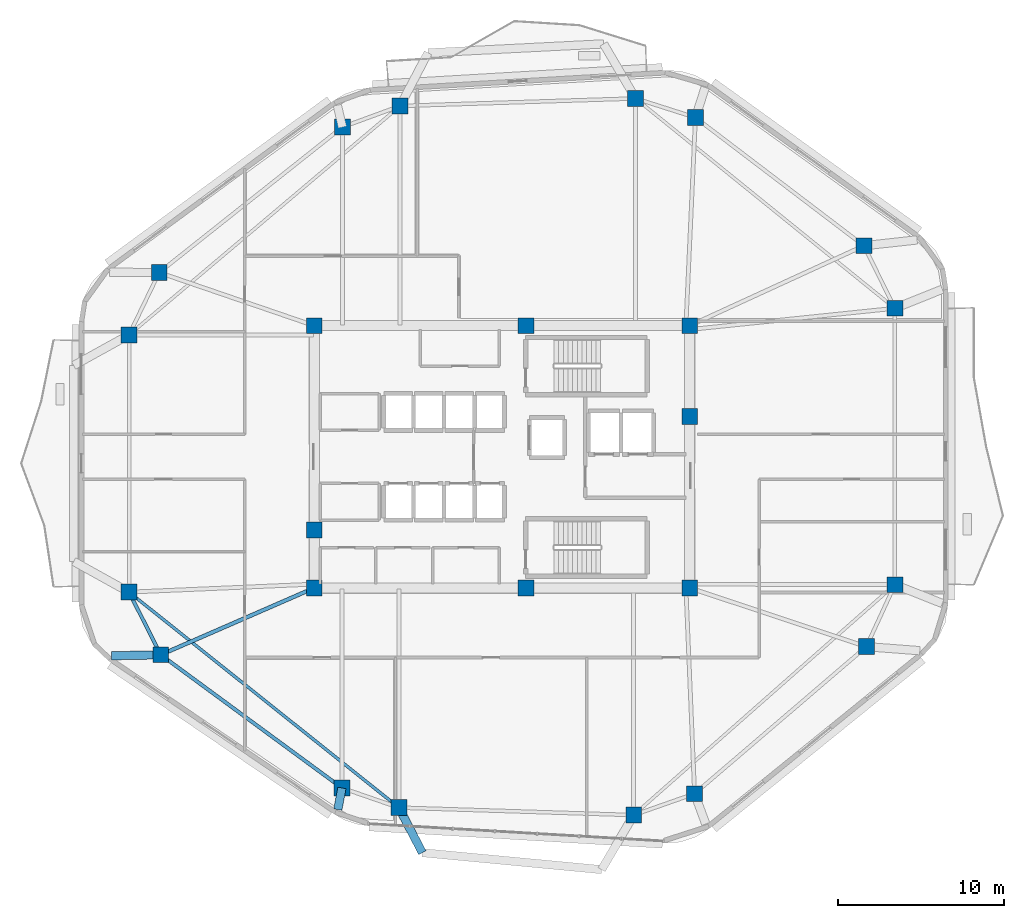
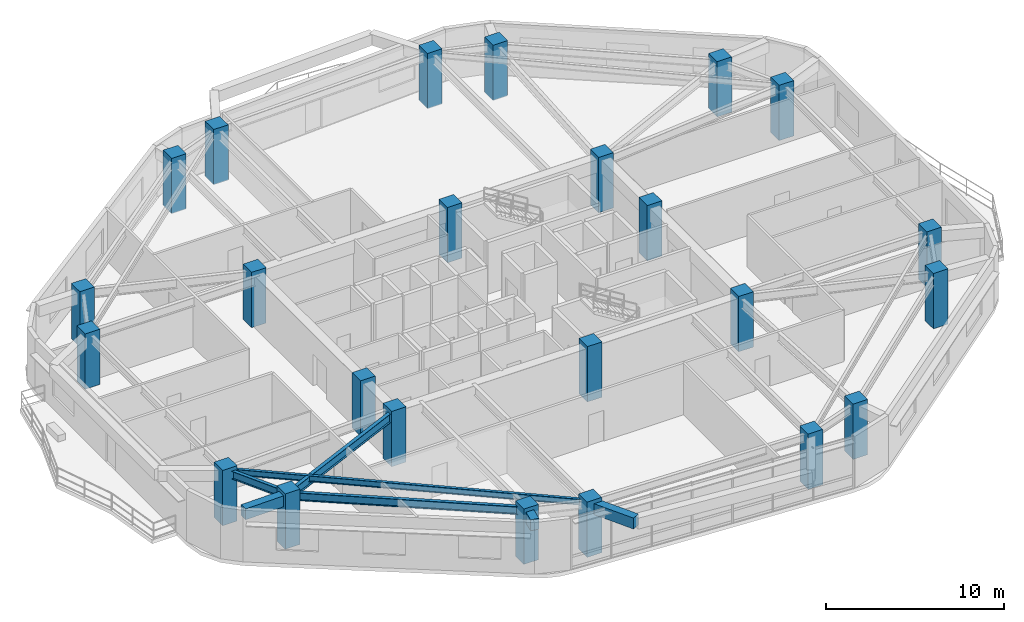
# One storey, part 1 of 14: 24 columns, 7 beams.
"""IFC4 building model written with IfcOpenShell, lengths in metres."""

from ifc_helpers import new_model, si_unit, direction, frame, origin, origin_2d, place, context, subcontext, project, spatial, rectangle, i_section, extrude, material, material_profile, profile_set, type_object, element, save


model = new_model("IFC4")

# Units and contexts
model_context = context("Model", 3, precision=1e-05, world=origin(), true_north=direction((0.0, 1.0)))
body_context = subcontext(model_context, "Body", "Model", "MODEL_VIEW")
ifc_project = project(units=[si_unit("LENGTHUNIT", "METRE"), si_unit("AREAUNIT", "SQUARE_METRE"), si_unit("VOLUMEUNIT", "CUBIC_METRE"), si_unit("PLANEANGLEUNIT", "RADIAN"), si_unit("MASSUNIT", "GRAM", prefix="KILO")], contexts=[model_context])

# Site, building, storey
site_placement = place(None, origin())
site = spatial("IfcSite", under=ifc_project, at=site_placement, CompositionType="ELEMENT")
building_placement = place(site_placement, origin())
building = spatial("IfcBuilding", under=site, at=building_placement, Name="Zulverin Broadcast Headquarters", CompositionType="ELEMENT")
storey_placement = place(building_placement, frame((0.0, 0.0, 208.60009765625)))
storey = spatial("IfcBuildingStorey", under=building, at=storey_placement, Name="L53", CompositionType="ELEMENT", Elevation=208.60009765625)

# Columns
ifc_material_1 = material(Name="Concrete C50/60", Category="concrete")
ifc_material_profile_1 = material_profile(ifc_material_1, rectangle(XDim=0.949951171875, YDim=0.949951171875, at=origin_2d()), Name="Concrete C50/60", Category="concrete")
ifc_profile_set_1 = profile_set([ifc_material_profile_1], Name="Concrete C50/60")
column_type_1 = type_object("IfcColumnType", Name="COL-RC-950", PredefinedType="COLUMN", material=ifc_profile_set_1)
for number, where, z_axis, x_axis, name in (
    (1, (30.80859375, 4.12744140625, 0.0), (0.0, 0.0, 1.0), (1.0, 0.0, 0.0), "L53 Perimeter Column T01"),
    (2, (44.909912109375, 3.68017578125, 0.0), (0.0, 0.0, 1.0), (1.0, 0.0, 0.0), "L53 Perimeter Column T02"),
    (3, (48.569580078125, 4.967041015625, 0.0), (0.0, 0.0, 1.0), (1.0, 0.0, 0.0), "L53 Perimeter Column T03"),
    (4, (58.886962890625, 13.798095703125, 0.0), (0.0, 0.0, 1.0), (1.0, 0.0, 0.0), "L53 Perimeter Column T04"),
    (5, (60.60009765625, 17.519287109375, 0.0), (0.0, 0.0, 1.0), (1.0, 0.0, 0.0), "L53 Perimeter Column T05"),
    (6, (60.60009765625, 34.12158203125, 0.0), (0.0, 0.0, 1.0), (1.0, 0.0, 0.0), "L53 Perimeter Column T06"),
    (7, (58.738037109375, 37.877685546875, 0.0), (0.0, 0.0, 1.0), (1.0, 0.0, 0.0), "L53 Perimeter Column T07"),
    (8, (48.62158203125, 45.574951171875, 0.0), (0.0, 0.0, 1.0), (1.0, 0.0, 0.0), "L53 Perimeter Column T08"),
    (9, (45.027587890625, 46.7236328125, 0.0), (0.0, 0.0, 1.0), (1.0, 0.0, 0.0), "L53 Perimeter Column T09"),
    (10, (30.882080078125, 46.27490234375, 0.0), (0.0, 0.0, 1.0), (1.0, 0.0, 0.0), "L53 Perimeter Column T10"),
    (11, (27.416259765625, 45.00439453125, 0.0), (0.0, 0.0, 1.0), (1.0, 0.0, 0.0), "L53 Perimeter Column T11"),
    (12, (16.40869140625, 36.26806640625, 0.0), (0.0, 0.0, 1.0), (1.0, 0.0, 0.0), "L53 Perimeter Column T12"),
    (13, (14.60009765625, 32.523193359375, 0.0), (0.0, 0.0, 1.0), (1.0, 0.0, 0.0), "L53 Perimeter Column T13"),
    (14, (14.60009765625, 17.072021484375, 0.0), (0.0, 0.0, 1.0), (1.0, 0.0, 0.0), "L53 Perimeter Column T14"),
    (15, (16.50537109375, 13.306884765625, 0.0), (0.0, 0.0, 1.0), (1.0, 0.0, 0.0), "L53 Perimeter Column T15"),
    (16, (27.38720703125, 5.309814453125, 0.0), (0.0, 0.0, 1.0), (1.0, 0.0, 0.0), "L53 Perimeter Column T16"),
):
    element("IfcColumn", number, at=place(storey_placement, frame(where, z_axis=z_axis, x_axis=x_axis)), inside=storey, type_object=column_type_1, Name=name, PredefinedType="COLUMN", context=body_context, shape_type="SweptSolid", body=[
        extrude(rectangle(XDim=0.949951171875, YDim=0.949951171875, at=origin_2d()), origin(), (0.0, 0.0, 1.0), 3.7998046875),
    ])
ifc_material_profile_2 = material_profile(ifc_material_1, rectangle(XDim=0.949951171875, YDim=0.949951171875, at=origin_2d()), Name="Concrete C50/60", Category="concrete")
ifc_profile_set_2 = profile_set([ifc_material_profile_2], Name="Concrete C50/60")
column_type_2 = type_object("IfcColumnType", Name="PIL-RC-950", PredefinedType="PILASTER", material=ifc_profile_set_2)
for number, where, z_axis, x_axis, name in (
    (17, (25.72509765625, 17.324951171875, 0.0), (0.0, 0.0, 1.0), (1.0, 0.0, 0.0), "L53 Core Pilaster K01"),
    (18, (38.449951171875, 17.324951171875, 0.0), (0.0, 0.0, 1.0), (1.0, 0.0, 0.0), "L53 Core Pilaster K02"),
    (19, (48.27490234375, 17.324951171875, 0.0), (0.0, 0.0, 1.0), (1.0, 0.0, 0.0), "L53 Core Pilaster K03"),
    (20, (48.27490234375, 27.6201171875, 0.0), (0.0, 0.0, 1.0), (1.0, 0.0, 0.0), "L53 Core Pilaster K04"),
    (21, (48.27490234375, 33.074951171875, 0.0), (0.0, 0.0, 1.0), (1.0, 0.0, 0.0), "L53 Core Pilaster K05"),
    (22, (38.449951171875, 33.074951171875, 0.0), (0.0, 0.0, 1.0), (1.0, 0.0, 0.0), "L53 Core Pilaster K06"),
    (23, (25.72509765625, 33.074951171875, 0.0), (0.0, 0.0, 1.0), (1.0, 0.0, 0.0), "L53 Core Pilaster K07"),
    (24, (25.72509765625, 20.800048828125, 0.0), (0.0, 0.0, 1.0), (1.0, 0.0, 0.0), "L53 Core Pilaster K08"),
):
    element("IfcColumn", number, at=place(storey_placement, frame(where, z_axis=z_axis, x_axis=x_axis)), inside=storey, type_object=column_type_2, Name=name, PredefinedType="PILASTER", context=body_context, shape_type="SweptSolid", body=[
        extrude(rectangle(XDim=0.949951171875, YDim=0.949951171875, at=origin_2d()), origin(), (0.0, 0.0, 1.0), 3.7998046875),
    ])

# Beams
ifc_material_2 = material(Name="Concrete C40/50", Category="concrete")
ifc_material_profile_3 = material_profile(ifc_material_2, rectangle(XDim=0.5, YDim=0.75, at=origin_2d()), Name="Concrete C40/50", Category="concrete")
ifc_profile_set_3 = profile_set([ifc_material_profile_3], Name="Concrete C40/50")
beam_type_1 = type_object("IfcBeamType", Name="BM-RC-500x750", PredefinedType="BEAM", material=ifc_profile_set_3)
beam_1_placement = place(storey_placement, frame((16.50537109375, 13.306884765625, 3.164794921875), z_axis=(-0.999808645539, -0.019562011805, 0.0), x_axis=(0.019562011805, -0.999808645539, 0.0)))
element("IfcBeam", 25, at=beam_1_placement, inside=storey, type_object=beam_type_1, Name="L54 Plate Overhang Back-Spanned Beam OVR-15", PredefinedType="BEAM", context=body_context, shape_type="SweptSolid", body=[
    extrude(rectangle(XDim=0.5, YDim=0.75, at=origin_2d()), origin(), (0.0, 0.0, 1.0), 2.957763671875),
])
beam_2_placement = place(storey_placement, frame((27.38720703125, 5.309814453125, 3.164794921875), z_axis=(-0.186527092112, -0.982449817501, 0.0), x_axis=(0.982449817501, -0.186527092112, 0.0)))
element("IfcBeam", 26, at=beam_2_placement, inside=storey, type_object=beam_type_1, Name="L54 Plate Overhang Back-Spanned Beam OVR-16", PredefinedType="BEAM", context=body_context, shape_type="SweptSolid", body=[
    extrude(rectangle(XDim=0.5, YDim=0.75, at=origin_2d()), origin(), (0.0, 0.0, 1.0), 1.3232421875),
])
beam_3_placement = place(storey_placement, frame((30.80859375, 4.12744140625, 3.164794921875), z_axis=(0.461685259348, -0.887043810249, 0.0), x_axis=(0.887043810249, 0.461685259348, 0.0)))
element("IfcBeam", 27, at=beam_3_placement, inside=storey, type_object=beam_type_1, Name="L54 Balcony Column-Framed Cantilever BAL_S-1", PredefinedType="BEAM", context=body_context, shape_type="SweptSolid", body=[
    extrude(rectangle(XDim=0.5, YDim=0.75, at=origin_2d()), origin(), (0.0, 0.0, 1.0), 3.05126953125),
])
ifc_material_3 = material(Name="Structural steel S355JR", Category="steel")
ifc_material_profile_4 = material_profile(ifc_material_3, i_section(OverallWidth=0.179443359375, OverallDepth=0.412841796875, WebThickness=0.009521484375, FlangeThickness=0.01611328125, at=origin_2d()), Name="Structural steel S355JR", Category="steel")
ifc_profile_set_4 = profile_set([ifc_material_profile_4], Name="Structural steel S355JR")
beam_type_2 = type_object("IfcBeamType", Name="BM-UB-406", PredefinedType="JOIST", material=ifc_profile_set_4)
beam_4_placement = place(storey_placement, frame((14.60009765625, 17.072021484375, 3.33349609375), z_axis=(0.781390996609, -0.624041753746, 0.0), x_axis=(0.624041753746, 0.781390996609, 0.0)))
element("IfcBeam", 28, at=beam_4_placement, inside=storey, type_object=beam_type_2, Name="L53 Chordal Floor Joist J-04", PredefinedType="JOIST", context=body_context, shape_type="SweptSolid", body=[
    extrude(i_section(OverallWidth=0.179443359375, OverallDepth=0.412841796875, WebThickness=0.009521484375, FlangeThickness=0.01611328125, at=origin_2d()), origin(), (0.0, 0.0, 1.0), 20.7431640625),
])
ifc_material_profile_5 = material_profile(ifc_material_3, i_section(OverallWidth=0.2119140625, OverallDepth=0.54443359375, WebThickness=0.0126953125, FlangeThickness=0.021240234375, at=origin_2d()), Name="Structural steel S355JR", Category="steel")
ifc_profile_set_5 = profile_set([ifc_material_profile_5], Name="Structural steel S355JR")
beam_type_3 = type_object("IfcBeamType", Name="BM-UB-533", PredefinedType="SPANDREL", material=ifc_profile_set_5)
beam_5_placement = place(storey_placement, frame((14.60009765625, 17.072021484375, 3.267578125), z_axis=(0.451512947895, -0.892264567201, 0.0), x_axis=(0.892264567201, 0.451512947895, 0.0)))
element("IfcBeam", 29, at=beam_5_placement, inside=storey, type_object=beam_type_3, Name="L53 Perimeter Spandrel Beam SP-14", PredefinedType="SPANDREL", context=body_context, shape_type="SweptSolid", body=[
    extrude(i_section(OverallWidth=0.2119140625, OverallDepth=0.54443359375, WebThickness=0.0126953125, FlangeThickness=0.021240234375, at=origin_2d()), origin(), (0.0, 0.0, 1.0), 4.2197265625),
])
beam_6_placement = place(storey_placement, frame((16.50537109375, 13.306884765625, 3.267578125), z_axis=(0.805802234061, -0.592184734338, 0.0), x_axis=(0.592184734338, 0.805802234061, 0.0)))
element("IfcBeam", 30, at=beam_6_placement, inside=storey, type_object=beam_type_3, Name="L53 Perimeter Spandrel Beam SP-15", PredefinedType="SPANDREL", context=body_context, shape_type="SweptSolid", body=[
    extrude(i_section(OverallWidth=0.2119140625, OverallDepth=0.54443359375, WebThickness=0.0126953125, FlangeThickness=0.021240234375, at=origin_2d()), origin(), (0.0, 0.0, 1.0), 13.50439453125),
])
ifc_material_profile_6 = material_profile(ifc_material_3, i_section(OverallWidth=0.230224609375, OverallDepth=0.6171875, WebThickness=0.01318359375, FlangeThickness=0.022216796875, at=origin_2d()), Name="Structural steel S355JR", Category="steel")
ifc_profile_set_6 = profile_set([ifc_material_profile_6], Name="Structural steel S355JR")
beam_type_4 = type_object("IfcBeamType", Name="BM-UB-610", PredefinedType="BEAM", material=ifc_profile_set_6)
beam_7_placement = place(storey_placement, frame((25.72509765625, 17.324951171875, 3.231201171875), z_axis=(-0.916724690104, -0.39951951461, 0.0), x_axis=(0.39951951461, -0.916724690104, 0.0)))
element("IfcBeam", 31, at=beam_7_placement, inside=storey, type_object=beam_type_4, Name="L53 Radial Primary Floor Beam RB-15", PredefinedType="BEAM", context=body_context, shape_type="SweptSolid", body=[
    extrude(i_section(OverallWidth=0.230224609375, OverallDepth=0.6171875, WebThickness=0.01318359375, FlangeThickness=0.022216796875, at=origin_2d()), origin(), (0.0, 0.0, 1.0), 10.05712890625),
])

save(model, "model.ifc")
